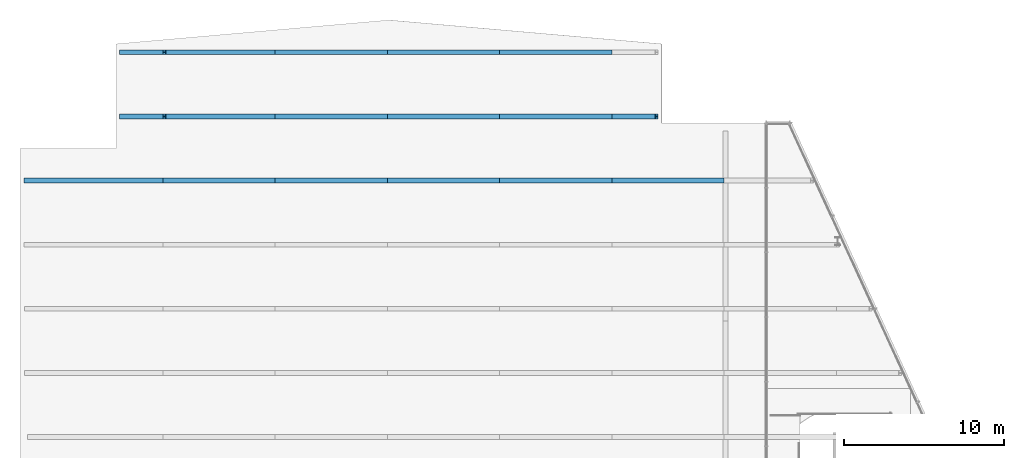
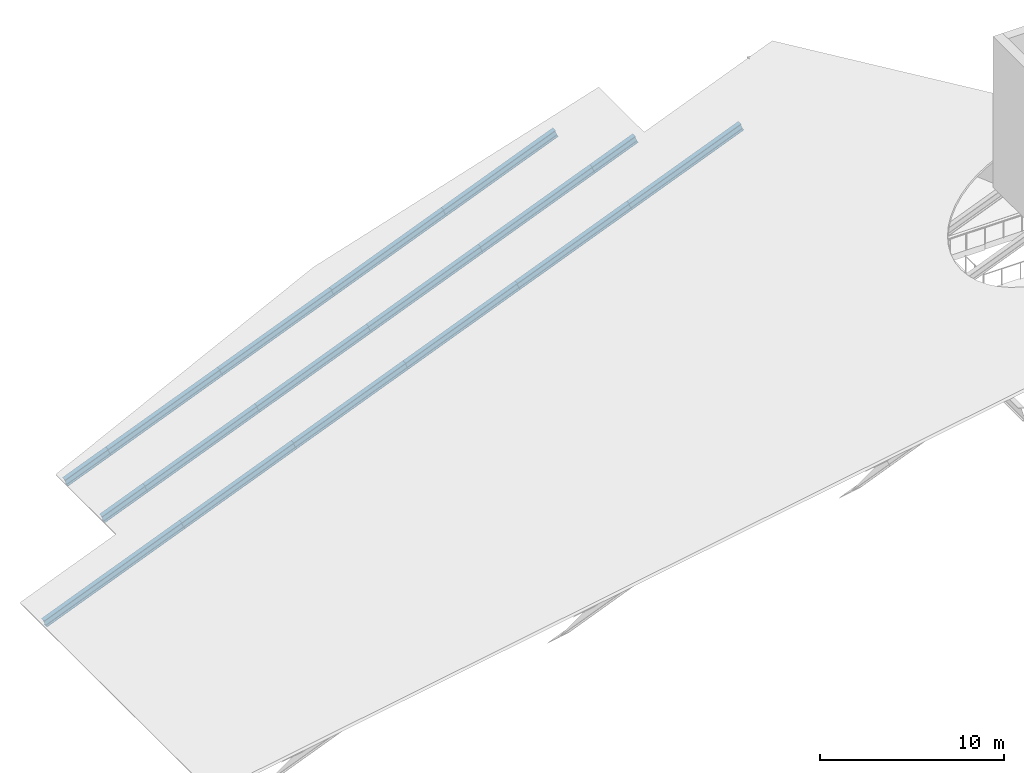
# One storey, part 5 of 8: 17 members.
"""IFC4 building model written with IfcOpenShell, lengths in metres."""

import ifcopenshell
import ifcopenshell.guid

model = None  # the IFC model being written
_history = None  # IfcOwnerHistory: only IFC2X3 demands one
_inside = {}  # id of a spatial element -> (the spatial element, [elements in it])
_under = {}  # id of a project, library or spatial element -> (it, [spatial elements below it])
_declared = {}  # id of a project -> (the project, [libraries it declares])
_typed = {}  # id of a type object -> (the type object, [elements of that type])
_made_of = {}  # id of a material, layer set ... -> (it, [elements and type objects made of it])


def new_model(schema):
    """Start an empty IFC model of exactly this schema.

    Asked for "IFC4X3", IfcOpenShell would pick the latest addendum, in which some entities
    have other attributes; the version numbers below select the first issue.
    IFC2X3 requires an IfcOwnerHistory on every rooted entity: one is made here for all.
    """
    global model, _history
    if schema == "IFC4X3":
        model = ifcopenshell.file(schema_version=(4, 3, 0, 0))
    else:
        model = ifcopenshell.file(schema=schema)
    _inside.clear()
    _under.clear()
    _declared.clear()
    _typed.clear()
    _made_of.clear()
    _history = None
    if model.schema == "IFC2X3":
        org = make("IfcOrganization", Name="unknown")
        user = make(
            "IfcPersonAndOrganization",
            ThePerson=make("IfcPerson", FamilyName="unknown"),
            TheOrganization=org,
        )
        app = make(
            "IfcApplication",
            ApplicationDeveloper=org,
            Version="unknown",
            ApplicationFullName="unknown",
            ApplicationIdentifier="unknown",
        )
        _history = make(
            "IfcOwnerHistory",
            OwningUser=user,
            OwningApplication=app,
            ChangeAction="ADDED",
            CreationDate=0,
        )
    return model


def make(cls, **values):
    """One entity of the class cls with the attributes given. An attribute that is None is left unset."""
    return model.create_entity(
        cls, **{name: value for name, value in values.items() if value is not None}
    )


def rooted(cls, **values):
    """An entity with a GlobalId (a new one), such as an element, a storey or a relation."""
    return make(cls, GlobalId=ifcopenshell.guid.new(), OwnerHistory=_history, **values)


def si_unit(unit_type, name, prefix=None):
    """IfcSIUnit, for example si_unit("LENGTHUNIT", "METRE", prefix="MILLI")."""
    return make("IfcSIUnit", UnitType=unit_type, Prefix=prefix, Name=name)


def assignment(units):
    """IfcUnitAssignment: the units of a project."""
    return None if units is None else make("IfcUnitAssignment", Units=units)


def point(xyz):
    """IfcCartesianPoint."""
    return None if xyz is None else make("IfcCartesianPoint", Coordinates=xyz)


def direction(xyz):
    """IfcDirection."""
    return None if xyz is None else make("IfcDirection", DirectionRatios=xyz)


def frame(location, z_axis=None, x_axis=None):
    """IfcAxis2Placement3D, a coordinate frame: its origin and axes. An axis left out is left unset."""
    return make(
        "IfcAxis2Placement3D",
        Location=point(location),
        Axis=direction(z_axis),
        RefDirection=direction(x_axis),
    )


def frame_2d(location, x_axis=None):
    """IfcAxis2Placement2D, a coordinate frame in the plane: its origin and x axis."""
    return make(
        "IfcAxis2Placement2D", Location=point(location), RefDirection=direction(x_axis)
    )


def origin():
    """The frame at (0, 0, 0) with its axes left unset."""
    return frame((0.0, 0.0, 0.0))


def origin_2d():
    """The frame at (0, 0) in the plane with its x axis left unset."""
    return frame_2d((0.0, 0.0))


def place(relative_to, where):
    """IfcLocalPlacement: puts the frame where relative to a parent placement (None: the world)."""
    return make(
        "IfcLocalPlacement", PlacementRelTo=relative_to, RelativePlacement=where
    )


def context(
    kind, dimensions, precision=None, world=None, true_north=None, identifier=None
):
    """IfcGeometricRepresentationContext, for example the 3D "Model" context."""
    return make(
        "IfcGeometricRepresentationContext",
        ContextIdentifier=identifier,
        ContextType=kind,
        CoordinateSpaceDimension=dimensions,
        Precision=precision,
        WorldCoordinateSystem=world,
        TrueNorth=true_north,
    )


def subcontext(parent, identifier, kind, view, scale=None):
    """IfcGeometricRepresentationSubContext, for example "Body" below "Model"."""
    return make(
        "IfcGeometricRepresentationSubContext",
        ContextIdentifier=identifier,
        ContextType=kind,
        ParentContext=parent,
        TargetScale=scale,
        TargetView=view,
    )


def project(units=None, contexts=None):
    """IfcProject with its units and contexts."""
    return rooted(
        "IfcProject",
        Name="project",
        RepresentationContexts=contexts,
        UnitsInContext=assignment(units),
    )


def spatial(cls, under=None, at=None, **own):
    """A site, building, storey or space (cls), placed at a placement, below another one or the project."""
    s = rooted(cls, ObjectPlacement=at, **own)
    if under is not None:
        _under.setdefault(under.id(), (under, []))[1].append(s)
    return s


def profile(cls, at=None, kind="AREA", **sizes):
    """A parametric profile (cls). Its sizes go by their IFC names, for example OverallWidth=200.0."""
    return make(cls, ProfileType=kind, Position=at, **sizes)


def i_section(**sizes):
    """IfcIShapeProfileDef."""
    return profile("IfcIShapeProfileDef", **sizes)


def extrude(swept, where, along, depth):
    """IfcExtrudedAreaSolid: the profile swept, set in the frame where, extruded along a direction by depth."""
    return make(
        "IfcExtrudedAreaSolid",
        SweptArea=swept,
        Position=where,
        ExtrudedDirection=direction(along),
        Depth=depth,
    )


def shape(context_of_items, identifier, shape_type, items):
    """IfcShapeRepresentation: the items that make up one representation, for example the "Body"."""
    return make(
        "IfcShapeRepresentation",
        ContextOfItems=context_of_items,
        RepresentationIdentifier=identifier,
        RepresentationType=shape_type,
        Items=items,
    )


def material(Name=None, Category=None):
    """IfcMaterial."""
    return make("IfcMaterial", Name=Name, Category=Category)


def material_profile(
    of_material, cross_section, Name=None, Category=None, Priority=None
):
    """IfcMaterialProfile: a cross section and its material."""
    return make(
        "IfcMaterialProfile",
        Name=Name,
        Material=of_material,
        Profile=cross_section,
        Priority=Priority,
        Category=Category,
    )


def profile_set(profiles, Name=None, composite=None):
    """IfcMaterialProfileSet."""
    return make(
        "IfcMaterialProfileSet",
        Name=Name,
        MaterialProfiles=profiles,
        CompositeProfile=composite,
    )


def made_of(thing, what):
    """Note that an element or type object is made of a material, layer set ...; save() writes the relation."""
    if what is not None:
        _made_of.setdefault(what.id(), (what, []))[1].append(thing)
    return thing


def type_object(cls, material=None, **own):
    """A type object (cls), such as IfcWallType, which elements share."""
    return made_of(rooted(cls, **own), material)


def element(
    cls,
    number,
    at=None,
    inside=None,
    cuts=None,
    type_object=None,
    material=None,
    context=None,
    identifier="Body",
    shape_type=None,
    held_by="IfcProductDefinitionShape",
    body=None,
    shapes=None,
    **own,
):
    """One element of the class cls, such as IfcWall. Its Tag is "e" and its number.

    at: its placement. inside: the storey or other place that contains it. cuts: it is an
    opening in that element (IfcRelVoidsElement). A single representation is given by context,
    identifier, shape_type and body (its items); several are given by shapes. held_by: the class
    of the entity that holds the representations. save() writes the other relations.
    """
    e = rooted(cls, Tag="e%d" % number, ObjectPlacement=at, **own)
    if body is not None:
        shapes = [shape(context, identifier, shape_type, body)]
    if shapes is not None:
        e.Representation = make(held_by, Representations=shapes)
    if inside is not None:
        _inside.setdefault(inside.id(), (inside, []))[1].append(e)
    if cuts is not None:
        rooted(
            "IfcRelVoidsElement", RelatingBuildingElement=cuts, RelatedOpeningElement=e
        )
    if type_object is not None:
        _typed.setdefault(type_object.id(), (type_object, []))[1].append(e)
    return made_of(e, material)


def aggregate(whole, parts):
    """IfcRelAggregates: a whole, such as a stair, and the parts it consists of."""
    return rooted("IfcRelAggregates", RelatingObject=whole, RelatedObjects=parts)


def save(model, path):
    """Write the relations noted so far, then the file.

    IfcRelAggregates (storeys below a building ...), IfcRelContainedInSpatialStructure (elements
    in a storey), IfcRelDefinesByType, IfcRelAssociatesMaterial and IfcRelDeclares: one each for
    every whole, place, type object, material and project.
    """
    for whole, parts in _under.values():
        aggregate(whole, parts)
    for where, things in _inside.values():
        rooted(
            "IfcRelContainedInSpatialStructure",
            RelatedElements=things,
            RelatingStructure=where,
        )
    for kind, things in _typed.values():
        rooted("IfcRelDefinesByType", RelatedObjects=things, RelatingType=kind)
    for what, things in _made_of.values():
        rooted("IfcRelAssociatesMaterial", RelatedObjects=things, RelatingMaterial=what)
    for by, libraries in _declared.values():
        rooted("IfcRelDeclares", RelatingContext=by, RelatedDefinitions=libraries)
    model.write(path)


model = new_model("IFC4")

# Units and contexts
model_context = context("Model", 3, precision=1e-05, world=origin(), true_north=direction((0.0, 1.0)))
body_context = subcontext(model_context, "Body", "Model", "MODEL_VIEW")
ifc_project = project(units=[si_unit("LENGTHUNIT", "METRE"), si_unit("AREAUNIT", "SQUARE_METRE"), si_unit("VOLUMEUNIT", "CUBIC_METRE"), si_unit("PLANEANGLEUNIT", "RADIAN"), si_unit("MASSUNIT", "GRAM", prefix="KILO")], contexts=[model_context])

# Site, building, storey
site_placement = place(None, origin())
site = spatial("IfcSite", under=ifc_project, at=site_placement, CompositionType="ELEMENT")
building_placement = place(site_placement, origin())
building = spatial("IfcBuilding", under=site, at=building_placement, Name="Wharfspan Tower", CompositionType="ELEMENT")
storey_placement = place(building_placement, frame((0.0, 0.0, 277.100098)))
storey = spatial("IfcBuildingStorey", under=building, at=storey_placement, Name="L71", CompositionType="ELEMENT", Elevation=277.100098)

# Members
ifc_material = material(Name="Steel S355J2", Category="steel")
ifc_material_profile = material_profile(ifc_material, i_section(OverallWidth=0.300049, OverallDepth=0.5, WebThickness=0.014404, FlangeThickness=0.028076, FilletRadius=0.0271, at=origin_2d()))
ifc_profile_set = profile_set([ifc_material_profile], Name="Steel S355J2")
member_type = type_object("IfcMemberType", Name="Roof rafter HEB 500", PredefinedType="RAFTER", material=ifc_profile_set)
member_1_placement = place(storey_placement, frame((14.357422, 40.0, -16.256836), z_axis=(0.92718, 0.0, 0.374617), x_axis=(0.0, 1.0, 0.0)))
element("IfcMember", 1, at=member_1_placement, inside=storey, type_object=member_type, Name="Roof rafter R9 bay 1", PredefinedType="RAFTER", context=body_context, shape_type="SweptSolid", body=[
    extrude(i_section(OverallWidth=0.300049, OverallDepth=0.5, WebThickness=0.014404, FlangeThickness=0.028076, FilletRadius=0.0271, at=origin_2d()), origin(), (0.0, 0.0, 1.0), 9.321289),
])
for number, where, z_axis, x_axis, name in (
    (2, (23.0, 40.0, -12.764893), (0.927187, 0.0, 0.3746), (0.0, 1.0, 0.0), "Roof rafter R9 bay 2"),
    (3, (30.0, 40.0, -9.936768), (0.927187, 0.0, 0.3746), (0.0, 1.0, 0.0), "Roof rafter R9 bay 3"),
    (4, (37.0, 40.0, -7.108643), (0.927175, 0.0, 0.374628), (0.0, 1.0, 0.0), "Roof rafter R9 bay 4"),
    (5, (44.0, 40.0, -4.280273), (0.927187, 0.0, 0.3746), (0.0, 1.0, 0.0), "Roof rafter R9 bay 5"),
    (6, (51.0, 40.0, -1.452148), (0.927187, 0.0, 0.3746), (0.0, 1.0, 0.0), "Roof rafter R9 bay 6"),
):
    element("IfcMember", number, at=place(storey_placement, frame(where, z_axis=z_axis, x_axis=x_axis)), inside=storey, type_object=member_type, Name=name, PredefinedType="RAFTER", context=body_context, shape_type="SweptSolid", body=[
        extrude(i_section(OverallWidth=0.300049, OverallDepth=0.5, WebThickness=0.014404, FlangeThickness=0.028076, FilletRadius=0.0271, at=origin_2d()), origin(), (0.0, 0.0, 1.0), 7.549805),
    ])
member_2_placement = place(storey_placement, frame((20.300049, 44.0, -13.855713), z_axis=(0.927188, 0.0, 0.374598), x_axis=(0.0, 1.0, 0.0)))
element("IfcMember", 7, at=member_2_placement, inside=storey, type_object=member_type, Name="Roof rafter R10 bay 1", PredefinedType="RAFTER", context=body_context, shape_type="SweptSolid", body=[
    extrude(i_section(OverallWidth=0.300049, OverallDepth=0.5, WebThickness=0.014404, FlangeThickness=0.028076, FilletRadius=0.0271, at=origin_2d()), origin(), (0.0, 0.0, 1.0), 2.911865),
])
for number, where, z_axis, x_axis, name in (
    (8, (23.0, 44.0, -12.764893), (0.927187, 0.0, 0.3746), (0.0, 1.0, 0.0), "Roof rafter R10 bay 2"),
    (9, (30.0, 44.0, -9.936768), (0.927187, 0.0, 0.3746), (0.0, 1.0, 0.0), "Roof rafter R10 bay 3"),
    (10, (37.0, 44.0, -7.108643), (0.927175, 0.0, 0.374628), (0.0, 1.0, 0.0), "Roof rafter R10 bay 4"),
    (11, (44.0, 44.0, -4.280273), (0.927187, 0.0, 0.3746), (0.0, 1.0, 0.0), "Roof rafter R10 bay 5"),
):
    element("IfcMember", number, at=place(storey_placement, frame(where, z_axis=z_axis, x_axis=x_axis)), inside=storey, type_object=member_type, Name=name, PredefinedType="RAFTER", context=body_context, shape_type="SweptSolid", body=[
        extrude(i_section(OverallWidth=0.300049, OverallDepth=0.5, WebThickness=0.014404, FlangeThickness=0.028076, FilletRadius=0.0271, at=origin_2d()), origin(), (0.0, 0.0, 1.0), 7.549805),
    ])
for number, where, z_axis, x_axis, name in (
    (12, (51.0, 44.0, -1.452148), (0.927188, 0.0, 0.374598), (0.0, 1.0, 0.0), "Roof rafter R10 bay 6"),
    (13, (20.300049, 48.0, -13.855713), (0.927188, 0.0, 0.374598), (0.0, 1.0, 0.0), "Roof rafter R11 bay 1"),
):
    element("IfcMember", number, at=place(storey_placement, frame(where, z_axis=z_axis, x_axis=x_axis)), inside=storey, type_object=member_type, Name=name, PredefinedType="RAFTER", context=body_context, shape_type="SweptSolid", body=[
        extrude(i_section(OverallWidth=0.300049, OverallDepth=0.5, WebThickness=0.014404, FlangeThickness=0.028076, FilletRadius=0.0271, at=origin_2d()), origin(), (0.0, 0.0, 1.0), 2.911865),
    ])
for number, where, z_axis, x_axis, name in (
    (14, (23.0, 48.0, -12.764893), (0.927187, 0.0, 0.3746), (0.0, 1.0, 0.0), "Roof rafter R11 bay 2"),
    (15, (30.0, 48.0, -9.936768), (0.927187, 0.0, 0.3746), (0.0, 1.0, 0.0), "Roof rafter R11 bay 3"),
    (16, (37.0, 48.0, -7.108643), (0.927175, 0.0, 0.374628), (0.0, 1.0, 0.0), "Roof rafter R11 bay 4"),
    (17, (44.0, 48.0, -4.280273), (0.927187, 0.0, 0.3746), (0.0, 1.0, 0.0), "Roof rafter R11 bay 5"),
):
    element("IfcMember", number, at=place(storey_placement, frame(where, z_axis=z_axis, x_axis=x_axis)), inside=storey, type_object=member_type, Name=name, PredefinedType="RAFTER", context=body_context, shape_type="SweptSolid", body=[
        extrude(i_section(OverallWidth=0.300049, OverallDepth=0.5, WebThickness=0.014404, FlangeThickness=0.028076, FilletRadius=0.0271, at=origin_2d()), origin(), (0.0, 0.0, 1.0), 7.549805),
    ])

save(model, "model.ifc")
